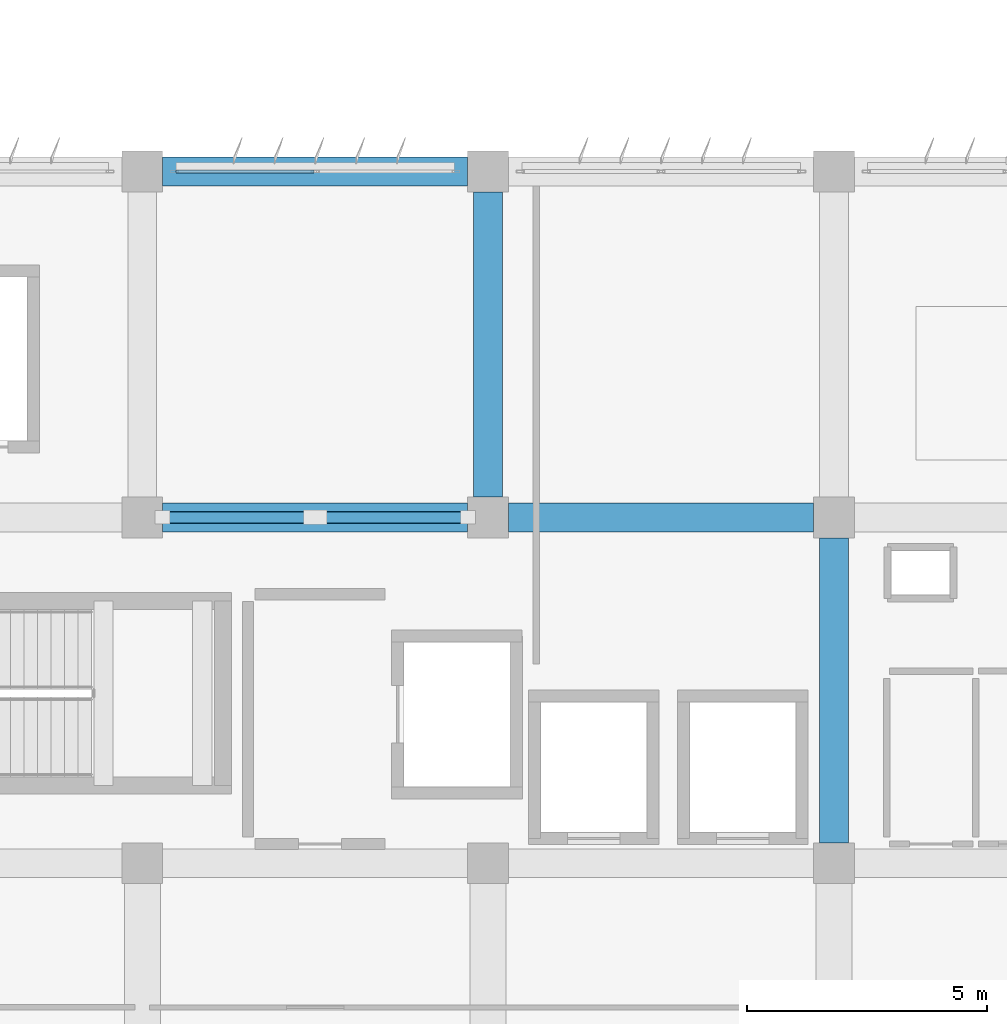
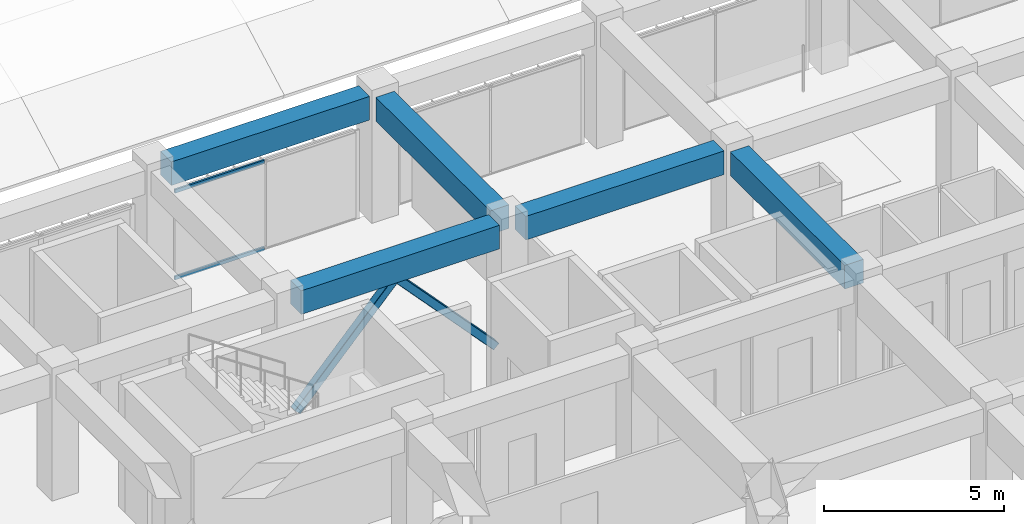
# One storey, part 13 of 56: 5 beams, 4 members, 1 element without a shape of its own.
"""IFC4 building model written with IfcOpenShell, lengths in metres."""

from ifc_helpers import new_model, si_unit, direction, frame, origin, origin_2d, place, context, subcontext, project, spatial, rectangle, hollow_rectangle, extrude, material, material_profile, profile_set, type_object, element, aggregate, save


model = new_model("IFC4")

# Units and contexts
model_context = context("Model", 3, precision=1e-05, world=origin(), true_north=direction((0.0, 1.0)))
body_context = subcontext(model_context, "Body", "Model", "MODEL_VIEW")
ifc_project = project(units=[si_unit("LENGTHUNIT", "METRE"), si_unit("AREAUNIT", "SQUARE_METRE"), si_unit("VOLUMEUNIT", "CUBIC_METRE"), si_unit("PLANEANGLEUNIT", "RADIAN"), si_unit("MASSUNIT", "GRAM", prefix="KILO")], contexts=[model_context])

# Site, building, storey
site_placement = place(None, origin())
site = spatial("IfcSite", under=ifc_project, at=site_placement, CompositionType="ELEMENT")
building_placement = place(site_placement, origin())
building = spatial("IfcBuilding", under=site, at=building_placement, Name="Kazehaya Institute of Natural Sciences", CompositionType="ELEMENT")
storey_placement = place(building_placement, frame((0.0, 0.0, 24.300048828125)))
storey = spatial("IfcBuildingStorey", under=building, at=storey_placement, Name="L05", CompositionType="ELEMENT", Elevation=24.300048828125)

# Beams
ifc_material_1 = material(Name="Concrete Fc36", Category="concrete")
ifc_material_profile_1 = material_profile(ifc_material_1, rectangle(XDim=0.60009765625, YDim=0.800048828125, at=origin_2d()), Name="RC-600x800")
ifc_profile_set_1 = profile_set([ifc_material_profile_1], Name="Concrete Fc36")
beam_type = type_object("IfcBeamType", Name="BM-G-600x800", PredefinedType="BEAM", material=ifc_profile_set_1)
beam_1_placement = place(storey_placement, frame((69.425048828125, 28.39990234375, 3.829833984375), z_axis=(1.0, 0.0, 0.0), x_axis=(0.0, 1.0, 0.0)))
element("IfcBeam", 1, at=beam_1_placement, inside=storey, type_object=beam_type, Name="L05 primary X girder BMX-L05-690-284", PredefinedType="BEAM", context=body_context, shape_type="SweptSolid", body=[
    extrude(rectangle(XDim=0.60009765625, YDim=0.800048828125, at=origin_2d()), origin(), (0.0, 0.0, 1.0), 6.349853515625),
])
beam_2_placement = place(storey_placement, frame((76.625, 28.39990234375, 3.829833984375), z_axis=(1.0, 0.0, 0.0), x_axis=(0.0, 1.0, 0.0)))
element("IfcBeam", 2, at=beam_2_placement, inside=storey, type_object=beam_type, Name="L05 primary X girder BMX-L05-762-284", PredefinedType="BEAM", context=body_context, shape_type="SweptSolid", body=[
    extrude(rectangle(XDim=0.60009765625, YDim=0.800048828125, at=origin_2d()), origin(), (0.0, 0.0, 1.0), 6.35009765625),
])
beam_3_placement = place(storey_placement, frame((69.425048828125, 35.60009765625, 3.829833984375), z_axis=(1.0, 0.0, 0.0), x_axis=(0.0, 1.0, 0.0)))
element("IfcBeam", 3, at=beam_3_placement, inside=storey, type_object=beam_type, Name="L05 primary X girder BMX-L05-690-356", PredefinedType="BEAM", context=body_context, shape_type="SweptSolid", body=[
    extrude(rectangle(XDim=0.60009765625, YDim=0.800048828125, at=origin_2d()), origin(), (0.0, 0.0, 1.0), 6.349853515625),
])
for number, where, z_axis, x_axis, name in (
    (4, (76.199951171875, 28.824951171875, 3.829833984375), (0.0, 1.0, 0.0), (-1.0, 0.0, 0.0), "L05 primary Y girder BMY-L05-762-284"),
    (5, (83.39990234375, 21.625, 3.829833984375), (0.0, 1.0, 0.0), (-1.0, 0.0, 0.0), "L05 primary Y girder BMY-L05-834-212"),
):
    element("IfcBeam", number, at=place(storey_placement, frame(where, z_axis=z_axis, x_axis=x_axis)), inside=storey, type_object=beam_type, Name=name, PredefinedType="BEAM", context=body_context, shape_type="SweptSolid", body=[
        extrude(rectangle(XDim=0.60009765625, YDim=0.800048828125, at=origin_2d()), origin(), (0.0, 0.0, 1.0), 6.35009765625),
    ])

# Curtain wall, members
ifc_material_2 = material(Name="Aluminium alloy A6063S-T5", Category="aluminium")
curtain_wall_type = type_object("IfcCurtainWallType", Name="CW-SYS-04", PredefinedType="NOTDEFINED", material=ifc_material_2)
curtain_wall_placement = place(storey_placement, origin())
curtain_wall = element("IfcCurtainWall", 6, at=curtain_wall_placement, inside=storey, type_object=curtain_wall_type, Name="L05 unitised curtain wall CW-L05-105", PredefinedType="NOTDEFINED")
ifc_material_profile_2 = material_profile(ifc_material_2, hollow_rectangle(XDim=0.06005859375, YDim=0.1201171875, WallThickness=0.00341796875, at=origin_2d()), Name="ALU-60x120x3.5")
ifc_profile_set_2 = profile_set([ifc_material_profile_2], Name="Aluminium alloy A6063S-T5")
member_type_1 = type_object("IfcMemberType", Name="CWT-120", PredefinedType="USERDEFINED", material=ifc_profile_set_2)
member_1_placement = place(storey_placement, frame((69.699951171875, 35.60009765625, 0.030029296875), z_axis=(1.0, 0.0, 0.0), x_axis=(0.0, 1.0, 0.0)))
member_1 = element("IfcMember", 7, at=member_1_placement, type_object=member_type_1, Name="CW04 transom 1.1", ObjectType="TRANSOM", PredefinedType="USERDEFINED", context=body_context, shape_type="SweptSolid", body=[
    extrude(hollow_rectangle(XDim=0.06005859375, YDim=0.1201171875, WallThickness=0.00341796875, at=origin_2d()), origin(), (0.0, 0.0, 1.0), 2.8701171875),
])
member_2_placement = place(storey_placement, frame((69.699951171875, 35.60009765625, 2.969970703125), z_axis=(1.0, 0.0, 0.0), x_axis=(0.0, 1.0, 0.0)))
member_2 = element("IfcMember", 8, at=member_2_placement, type_object=member_type_1, Name="CW04 transom 1.2", ObjectType="TRANSOM", PredefinedType="USERDEFINED", context=body_context, shape_type="SweptSolid", body=[
    extrude(hollow_rectangle(XDim=0.06005859375, YDim=0.1201171875, WallThickness=0.00341796875, at=origin_2d()), origin(), (0.0, 0.0, 1.0), 2.8701171875),
])
aggregate(curtain_wall, [member_1, member_2])

# Members
ifc_material_3 = material(Name="Structural steel BCR295", Category="steel")
ifc_material_profile_3 = material_profile(ifc_material_3, hollow_rectangle(XDim=0.25, YDim=0.25, WallThickness=0.009033203125, InnerFilletRadius=0.012939453125, OuterFilletRadius=0.02197265625, at=origin_2d()), Name="BCR-250x250x9")
ifc_profile_set_3 = profile_set([ifc_material_profile_3], Name="Structural steel BCR295")
member_type_2 = type_object("IfcMemberType", Name="MEM-BR-BCR250", PredefinedType="BRACE", material=ifc_profile_set_3)
member_3_placement = place(storey_placement, frame((69.419921875, 28.39990234375, 0.010009765625), z_axis=(0.680972274153, 0.0, 0.732309198245), x_axis=(0.0, 1.0, 0.0)))
element("IfcMember", 9, at=member_3_placement, inside=storey, type_object=member_type_2, Name="L05 core spine seismic brace 11", PredefinedType="BRACE", context=body_context, shape_type="SweptSolid", body=[
    extrude(hollow_rectangle(XDim=0.25, YDim=0.25, WallThickness=0.009033203125, InnerFilletRadius=0.012939453125, OuterFilletRadius=0.02197265625, at=origin_2d()), origin(), (0.0, 0.0, 1.0), 4.670166015625),
])
member_4_placement = place(storey_placement, frame((75.780029296875, 28.39990234375, 0.010009765625), z_axis=(-0.680944237219, 0.0, 0.732335268711), x_axis=(0.0, -1.0, 0.0)))
element("IfcMember", 10, at=member_4_placement, inside=storey, type_object=member_type_2, Name="L05 core spine seismic brace 12", PredefinedType="BRACE", context=body_context, shape_type="SweptSolid", body=[
    extrude(hollow_rectangle(XDim=0.25, YDim=0.25, WallThickness=0.009033203125, InnerFilletRadius=0.012939453125, OuterFilletRadius=0.02197265625, at=origin_2d()), origin(), (0.0, 0.0, 1.0), 4.669921875),
])

save(model, "model.ifc")
